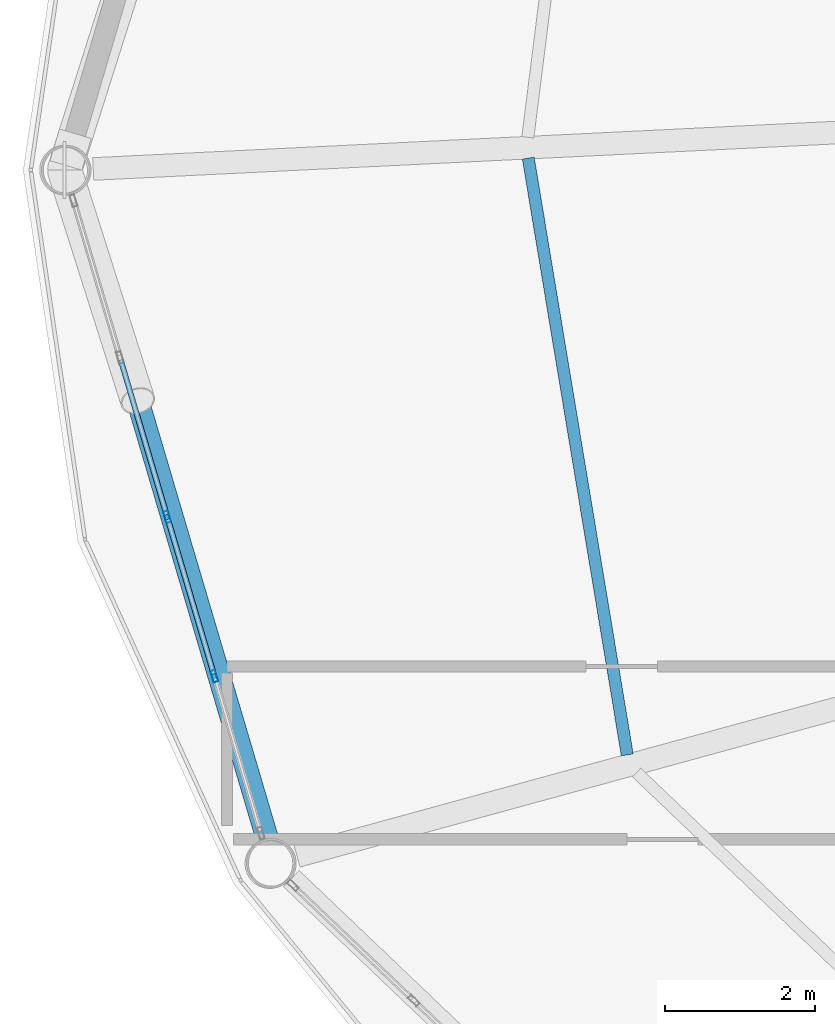
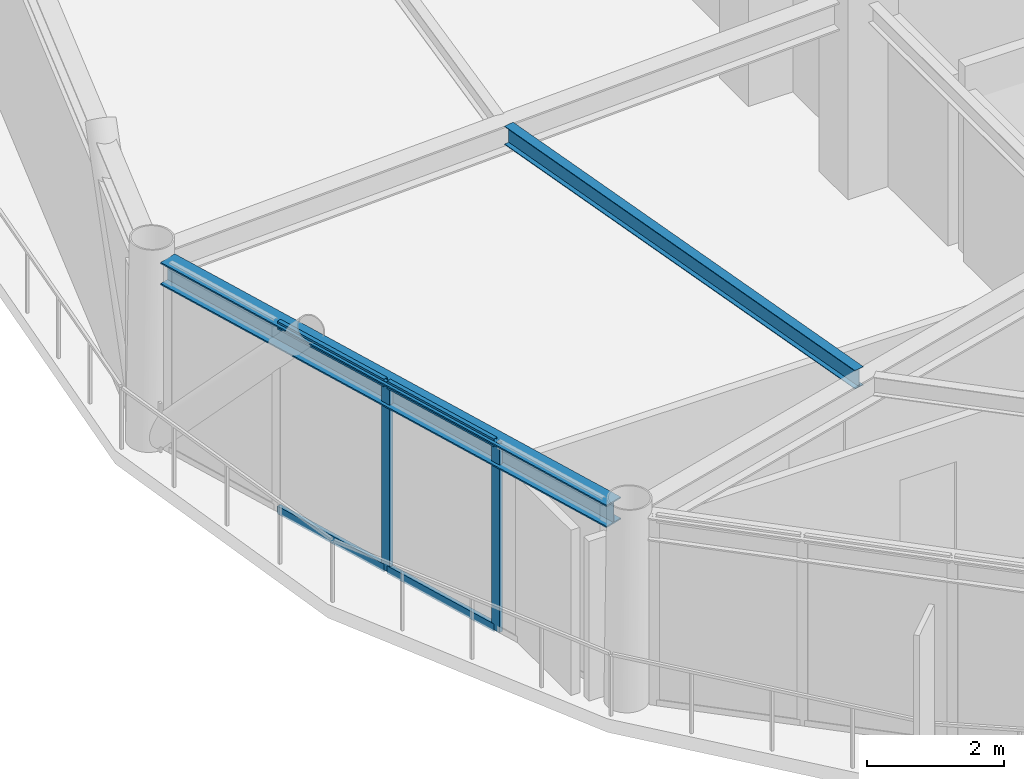
# One storey, part 5 of 28: 6 members, 2 beams, 1 element without a shape of its own.
"""IFC4 building model written with IfcOpenShell, lengths in metres."""

from ifc_helpers import new_model, si_unit, direction, frame, origin, origin_2d, place, context, subcontext, project, spatial, hollow_rectangle, i_section, extrude, material, layer, layer_set, material_profile, profile_set, type_object, element, aggregate, save


model = new_model("IFC4")

# Units and contexts
model_context = context("Model", 3, precision=1e-05, world=origin(), true_north=direction((0.0, 1.0)))
body_context = subcontext(model_context, "Body", "Model", "MODEL_VIEW")
ifc_project = project(units=[si_unit("LENGTHUNIT", "METRE"), si_unit("AREAUNIT", "SQUARE_METRE"), si_unit("VOLUMEUNIT", "CUBIC_METRE"), si_unit("PLANEANGLEUNIT", "RADIAN"), si_unit("MASSUNIT", "GRAM", prefix="KILO")], contexts=[model_context])

# Site, building, storey
site_placement = place(None, origin())
site = spatial("IfcSite", under=ifc_project, at=site_placement, CompositionType="ELEMENT")
building_placement = place(site_placement, origin())
building = spatial("IfcBuilding", under=site, at=building_placement, Name="Varnakorn Sky Granary", CompositionType="ELEMENT")
storey_placement = place(building_placement, frame((0.0, 0.0, 193.199951171875)))
storey = spatial("IfcBuildingStorey", under=building, at=storey_placement, Name="L48", CompositionType="ELEMENT", Elevation=193.199951171875)

# Beams
ifc_material_1 = material(Name="Steel S355JR", Category="steel")
ifc_material_profile_1 = material_profile(ifc_material_1, i_section(OverallWidth=0.159912109375, OverallDepth=0.330078125, WebThickness=0.007568359375, FlangeThickness=0.011474609375, at=origin_2d()), Name="IPE 330")
ifc_profile_set_1 = profile_set([ifc_material_profile_1], Name="Steel S355JR")
beam_type_1 = type_object("IfcBeamType", Name="BM-SEC-Z4", PredefinedType="BEAM", material=ifc_profile_set_1)
beam_1_placement = place(storey_placement, frame((-8.493896484375, 0.15966796875, 3.195068359375), z_axis=(0.163636138361, -0.986520762185, 0.0), x_axis=(0.986520762185, 0.163636138361, 0.0)))
element("IfcBeam", 1, at=beam_1_placement, inside=storey, type_object=beam_type_1, Name="Secondary Floor Chord Beam MSB07 L48", PredefinedType="BEAM", context=body_context, shape_type="SweptSolid", body=[
    extrude(i_section(OverallWidth=0.159912109375, OverallDepth=0.330078125, WebThickness=0.007568359375, FlangeThickness=0.011474609375, at=origin_2d()), origin(), (0.0, 0.0, 1.0), 8.044677734375),
])
ifc_material_profile_2 = material_profile(ifc_material_1, i_section(OverallWidth=0.300048828125, OverallDepth=0.39990234375, WebThickness=0.013427734375, FlangeThickness=0.02392578125, at=origin_2d()), Name="HE 400 B")
ifc_profile_set_2 = profile_set([ifc_material_profile_2], Name="Steel S355JR")
beam_type_2 = type_object("IfcBeamType", Name="BM-SPD-Z4", PredefinedType="SPANDREL", material=ifc_profile_set_2)
beam_2_placement = place(storey_placement, frame((-14.504638671875, -0.302001953125, 3.16015625), z_axis=(0.283527622296, -0.958964069919, 0.0), x_axis=(0.958964069919, 0.283527622296, 0.0)))
element("IfcBeam", 2, at=beam_2_placement, inside=storey, type_object=beam_type_2, Name="Perimeter Spandrel Ring Beam RB07 L48", PredefinedType="SPANDREL", context=body_context, shape_type="SweptSolid", body=[
    extrude(i_section(OverallWidth=0.300048828125, OverallDepth=0.39990234375, WebThickness=0.013427734375, FlangeThickness=0.02392578125, at=origin_2d()), origin(), (0.0, 0.0, 1.0), 8.969970703125),
])

# Curtain wall, members
ifc_material_2 = material(Name="Anodised Bronze Aluminium Alloy 6063-T6", Category="aluminium")
ifc_layer = layer(ifc_material_2, 0.169921875, Name="Anodised Bronze Aluminium Alloy 6063-T6")
ifc_layer_set = layer_set([ifc_layer], Name="Anodised Bronze Aluminium Alloy 6063-T6")
curtain_wall_type = type_object("IfcCurtainWallType", Name="CW-LAB-1", PredefinedType="USERDEFINED", material=ifc_layer_set)
curtain_wall_placement = place(storey_placement, origin())
curtain_wall = element("IfcCurtainWall", 3, at=curtain_wall_placement, inside=storey, type_object=curtain_wall_type, Name="Unitised Curtain Wall CW5 CW-L48-B07", ObjectType="CURTAIN WALL", PredefinedType="USERDEFINED")
ifc_material_profile_3 = material_profile(ifc_material_2, hollow_rectangle(XDim=0.06494140625, YDim=0.159912109375, WallThickness=0.00341796875, at=origin_2d()), Name="ALU MULL 65x160")
ifc_profile_set_3 = profile_set([ifc_material_profile_3], Name="Anodised Bronze Aluminium Alloy 6063-T6")
member_type_1 = type_object("IfcMemberType", Name="CW-LAB-1-MULL", PredefinedType="MULLION", material=ifc_profile_set_3)
member_1_placement = place(storey_placement, frame((-12.668212890625, -6.730224609375, 0.0), z_axis=(0.0, 0.0, 1.0), x_axis=(-0.958847747694, -0.283920757858, 0.0)))
member_1 = element("IfcMember", 4, at=member_1_placement, type_object=member_type_1, Name="CW5 mullion 2", PredefinedType="MULLION", context=body_context, shape_type="SweptSolid", body=[
    extrude(hollow_rectangle(XDim=0.06494140625, YDim=0.159912109375, WallThickness=0.00341796875, at=origin_2d()), origin(), (0.0, 0.0, 1.0), 3.360107421875),
])
member_2_placement = place(storey_placement, frame((-13.295654296875, -4.611572265625, 0.0), z_axis=(0.0, 0.0, 1.0), x_axis=(-0.958847747694, -0.283920757858, 0.0)))
member_2 = element("IfcMember", 5, at=member_2_placement, type_object=member_type_1, Name="CW5 mullion 3", PredefinedType="MULLION", context=body_context, shape_type="SweptSolid", body=[
    extrude(hollow_rectangle(XDim=0.06494140625, YDim=0.159912109375, WallThickness=0.00341796875, at=origin_2d()), origin(), (0.0, 0.0, 1.0), 3.360107421875),
])
ifc_material_profile_4 = material_profile(ifc_material_2, hollow_rectangle(XDim=0.070068359375, YDim=0.139892578125, WallThickness=0.00341796875, at=origin_2d()), Name="ALU TRAN 70x140")
ifc_profile_set_4 = profile_set([ifc_material_profile_4], Name="Anodised Bronze Aluminium Alloy 6063-T6")
member_type_2 = type_object("IfcMemberType", Name="CW-LAB-1-TRAN", PredefinedType="USERDEFINED", material=ifc_profile_set_4)
member_3_placement = place(storey_placement, frame((-12.677490234375, -6.698974609375, 0.03515625), z_axis=(-0.283910032434, 0.958850923493, 0.0), x_axis=(-0.958850923493, -0.283910032434, 0.0)))
member_3 = element("IfcMember", 6, at=member_3_placement, type_object=member_type_2, Name="CW5 transom 2.1", ObjectType="TRANSOM", PredefinedType="USERDEFINED", context=body_context, shape_type="SweptSolid", body=[
    extrude(hollow_rectangle(XDim=0.070068359375, YDim=0.139892578125, WallThickness=0.00341796875, at=origin_2d()), origin(), (0.0, 0.0, 1.0), 2.14453125),
])
member_4_placement = place(storey_placement, frame((-12.677490234375, -6.698974609375, 3.324951171875), z_axis=(-0.283910032434, 0.958850923493, 0.0), x_axis=(-0.958850923493, -0.283910032434, 0.0)))
member_4 = element("IfcMember", 7, at=member_4_placement, type_object=member_type_2, Name="CW5 transom 2.2", ObjectType="TRANSOM", PredefinedType="USERDEFINED", context=body_context, shape_type="SweptSolid", body=[
    extrude(hollow_rectangle(XDim=0.070068359375, YDim=0.139892578125, WallThickness=0.00341796875, at=origin_2d()), origin(), (0.0, 0.0, 1.0), 2.14453125),
])
member_5_placement = place(storey_placement, frame((-13.3046875, -4.580322265625, 0.03515625), z_axis=(-0.284014688743, 0.958819929172, 0.0), x_axis=(-0.958819929172, -0.284014688743, 0.0)))
member_5 = element("IfcMember", 8, at=member_5_placement, type_object=member_type_2, Name="CW5 transom 3.1", ObjectType="TRANSOM", PredefinedType="USERDEFINED", context=body_context, shape_type="SweptSolid", body=[
    extrude(hollow_rectangle(XDim=0.070068359375, YDim=0.139892578125, WallThickness=0.00341796875, at=origin_2d()), origin(), (0.0, 0.0, 1.0), 2.144775390625),
])
member_6_placement = place(storey_placement, frame((-13.3046875, -4.580322265625, 3.324951171875), z_axis=(-0.284014688743, 0.958819929172, 0.0), x_axis=(-0.958819929172, -0.284014688743, 0.0)))
member_6 = element("IfcMember", 9, at=member_6_placement, type_object=member_type_2, Name="CW5 transom 3.2", ObjectType="TRANSOM", PredefinedType="USERDEFINED", context=body_context, shape_type="SweptSolid", body=[
    extrude(hollow_rectangle(XDim=0.070068359375, YDim=0.139892578125, WallThickness=0.00341796875, at=origin_2d()), origin(), (0.0, 0.0, 1.0), 2.144775390625),
])
aggregate(curtain_wall, [member_1, member_2, member_3, member_4, member_5, member_6])

save(model, "model.ifc")
